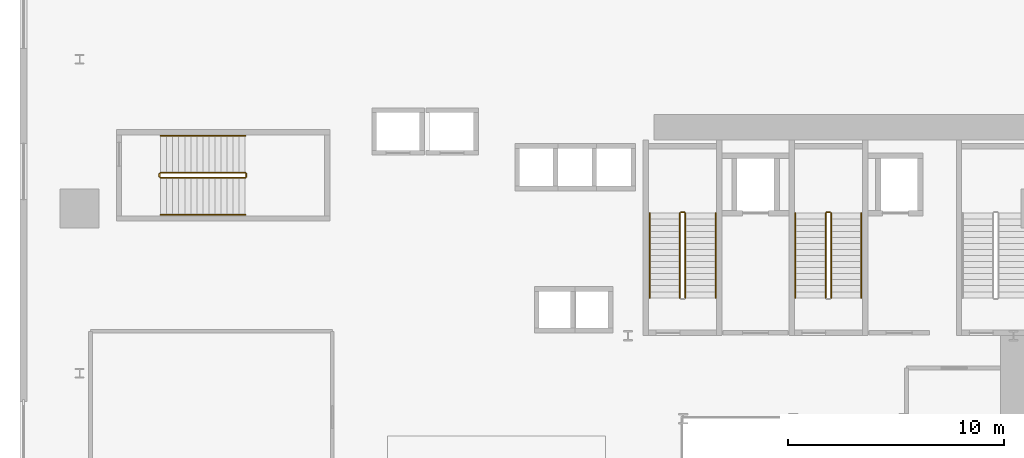
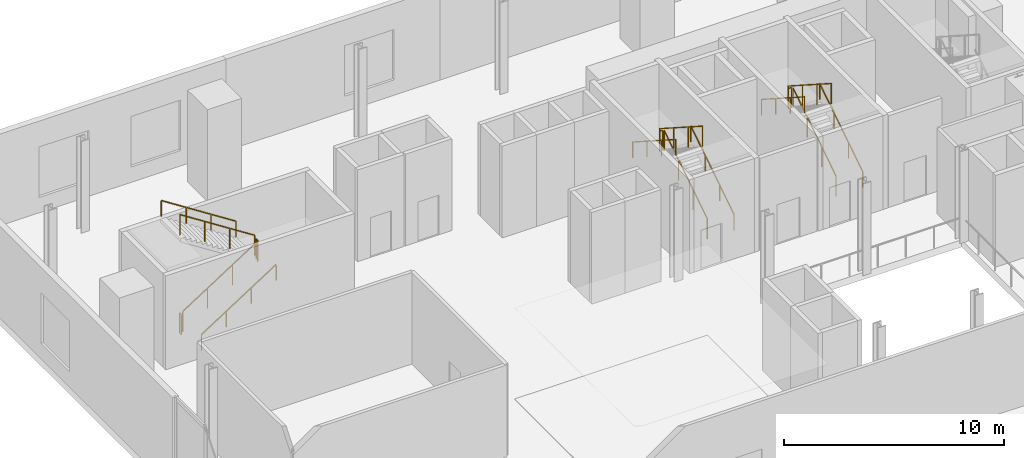
# One storey, part 11 of 12: 16 railings.
"""IFC4 building model written with IfcOpenShell, lengths in metres."""

from ifc_helpers import new_model, si_unit, direction, frame, origin, origin_2d, place, context, subcontext, project, spatial, rectangle, extrude, source, transform, mapped, material, type_object, element, save


model = new_model("IFC4")

# Units and contexts
model_context = context("Model", 3, precision=1e-05, world=origin(), true_north=direction((0.0, 1.0)))
body_context = subcontext(model_context, "Body", "Model", "MODEL_VIEW")
ifc_project = project(units=[si_unit("LENGTHUNIT", "METRE"), si_unit("AREAUNIT", "SQUARE_METRE"), si_unit("VOLUMEUNIT", "CUBIC_METRE"), si_unit("PLANEANGLEUNIT", "RADIAN"), si_unit("MASSUNIT", "GRAM", prefix="KILO")], contexts=[model_context])

# Site, building, storey
site_placement = place(None, origin())
site = spatial("IfcSite", under=ifc_project, at=site_placement, CompositionType="ELEMENT")
building_placement = place(site_placement, origin())
building = spatial("IfcBuilding", under=site, at=building_placement, Name="Vardaveli Station Tower", CompositionType="ELEMENT")
storey_placement = place(building_placement, frame((0.0, 0.0, 17.0)))
storey = spatial("IfcBuildingStorey", under=building, at=storey_placement, Name="L04", CompositionType="ELEMENT", Elevation=17.0)

# Railings
ifc_material = material(Name="Brushed AISI 316 stainless steel", Category="steel")
railing_type_1 = type_object("IfcRailingType", Name="RL-GUARD-1150", PredefinedType="GUARDRAIL", material=ifc_material)
shared_shape_1 = source(origin(), body_context, "Body", "SweptSolid", [
    extrude(rectangle(XDim=0.048095703125, YDim=0.048095703125, at=origin_2d()), frame((0.0, 0.0, 1.1259765625), z_axis=(0.0, 0.841186985886, 0.540744352514), x_axis=(-1.0, 0.0, 0.0)), (0.0, 0.0, 1.0), 4.660400390625),
    extrude(rectangle(XDim=0.0419921875, YDim=0.0419921875, at=origin_2d()), origin(), (0.0, 0.0, 1.0), 1.101806640625),
    extrude(rectangle(XDim=0.0419921875, YDim=0.0419921875, at=origin_2d()), frame((0.0, 1.306640625, 0.840087890625)), (0.0, 0.0, 1.0), 1.101806640625),
    extrude(rectangle(XDim=0.0419921875, YDim=0.0419921875, at=origin_2d()), frame((0.0, 2.613525390625, 1.679931640625)), (0.0, 0.0, 1.0), 1.101806640625),
    extrude(rectangle(XDim=0.0419921875, YDim=0.0419921875, at=origin_2d()), frame((0.0, 3.920166015625, 2.52001953125)), (0.0, 0.0, 1.0), 1.101806640625),
])
for number, where, name in (
    (1, (31.300048828125, 32.39990234375, 0.179931640625), "L04 ST-1 stair guard 1"),
    (2, (38.050048828125, 32.39990234375, 0.179931640625), "L04 ST-2 stair guard 1"),
):
    element("IfcRailing", number, at=place(storey_placement, frame(where)), inside=storey, type_object=railing_type_1, Name=name, PredefinedType="GUARDRAIL", context=body_context, shape_type="MappedRepresentation", body=[
        mapped(shared_shape_1, transform((0.0, 0.0, 0.0), scale=1.0)),
    ])
shared_shape_2 = source(origin(), body_context, "Body", "SweptSolid", [
    extrude(rectangle(XDim=0.048095703125, YDim=0.048095703125, at=origin_2d()), frame((0.0, 0.0, 1.1259765625), z_axis=(-1.0, 0.0, 0.0), x_axis=(0.0, -1.0, 0.0)), (0.0, 0.0, 1.0), 0.14990234375),
    extrude(rectangle(XDim=0.0419921875, YDim=0.0419921875, at=origin_2d()), origin(), (0.0, 0.0, 1.0), 1.101806640625),
    extrude(rectangle(XDim=0.0419921875, YDim=0.0419921875, at=origin_2d()), frame((-0.14990234375, 0.0, 0.0)), (0.0, 0.0, 1.0), 1.101806640625),
])
for number, where, name in (
    (3, (31.25, 36.3701171875, 2.699951171875), "L04 ST-1 stair guard 2"),
    (4, (38.0, 36.3701171875, 2.699951171875), "L04 ST-2 stair guard 2"),
):
    element("IfcRailing", number, at=place(storey_placement, frame(where)), inside=storey, type_object=railing_type_1, Name=name, PredefinedType="GUARDRAIL", context=body_context, shape_type="MappedRepresentation", body=[
        mapped(shared_shape_2, transform((0.0, 0.0, 0.0), scale=1.0)),
    ])
shared_shape_3 = source(origin(), body_context, "Body", "SweptSolid", [
    extrude(rectangle(XDim=0.048095703125, YDim=0.048095703125, at=origin_2d()), frame((0.0, 0.0, 1.1259765625), z_axis=(0.0, -0.841186985886, 0.540744352514), x_axis=(1.0, 0.0, 0.0)), (0.0, 0.0, 1.0), 4.660400390625),
    extrude(rectangle(XDim=0.0419921875, YDim=0.0419921875, at=origin_2d()), origin(), (0.0, 0.0, 1.0), 1.101806640625),
    extrude(rectangle(XDim=0.0419921875, YDim=0.0419921875, at=origin_2d()), frame((0.0, -1.306640625, 0.840087890625)), (0.0, 0.0, 1.0), 1.101806640625),
    extrude(rectangle(XDim=0.0419921875, YDim=0.0419921875, at=origin_2d()), frame((0.0, -2.613525390625, 1.679931640625)), (0.0, 0.0, 1.0), 1.101806640625),
    extrude(rectangle(XDim=0.0419921875, YDim=0.0419921875, at=origin_2d()), frame((0.0, -3.920166015625, 2.52001953125)), (0.0, 0.0, 1.0), 1.101806640625),
])
for number, where, name in (
    (5, (31.050048828125, 36.320068359375, 2.8798828125), "L04 ST-1 stair guard 3"),
    (6, (37.800048828125, 36.320068359375, 2.8798828125), "L04 ST-2 stair guard 3"),
):
    element("IfcRailing", number, at=place(storey_placement, frame(where)), inside=storey, type_object=railing_type_1, Name=name, PredefinedType="GUARDRAIL", context=body_context, shape_type="MappedRepresentation", body=[
        mapped(shared_shape_3, transform((0.0, 0.0, 0.0), scale=1.0)),
    ])
railing_type_2 = type_object("IfcRailingType", Name="RL-HAND-900", PredefinedType="HANDRAIL", material=ifc_material)
shared_shape_4 = source(origin(), body_context, "Body", "SweptSolid", [
    extrude(rectangle(XDim=0.048095703125, YDim=0.048095703125, at=origin_2d()), frame((0.0, 0.0, 0.8759765625), z_axis=(0.0, 0.841186985886, 0.540744352514), x_axis=(-1.0, 0.0, 0.0)), (0.0, 0.0, 1.0), 4.660400390625),
    extrude(rectangle(XDim=0.0419921875, YDim=0.0419921875, at=origin_2d()), origin(), (0.0, 0.0, 1.0), 0.851806640625),
    extrude(rectangle(XDim=0.0419921875, YDim=0.0419921875, at=origin_2d()), frame((0.0, 1.306640625, 0.840087890625)), (0.0, 0.0, 1.0), 0.851806640625),
    extrude(rectangle(XDim=0.0419921875, YDim=0.0419921875, at=origin_2d()), frame((0.0, 2.613525390625, 1.679931640625)), (0.0, 0.0, 1.0), 0.851806640625),
    extrude(rectangle(XDim=0.0419921875, YDim=0.0419921875, at=origin_2d()), frame((0.0, 3.920166015625, 2.52001953125)), (0.0, 0.0, 1.0), 0.851806640625),
])
for number, where, name in (
    (7, (32.699951171875, 32.39990234375, 0.179931640625), "L04 ST-1 stair handrail 1"),
    (8, (39.449951171875, 32.39990234375, 0.179931640625), "L04 ST-2 stair handrail 1"),
):
    element("IfcRailing", number, at=place(storey_placement, frame(where)), inside=storey, type_object=railing_type_2, Name=name, PredefinedType="HANDRAIL", context=body_context, shape_type="MappedRepresentation", body=[
        mapped(shared_shape_4, transform((0.0, 0.0, 0.0), scale=1.0)),
    ])
shared_shape_5 = source(origin(), body_context, "Body", "SweptSolid", [
    extrude(rectangle(XDim=0.048095703125, YDim=0.048095703125, at=origin_2d()), frame((0.0, 0.0, 0.8759765625), z_axis=(0.0, -0.841186985886, 0.540744352514), x_axis=(1.0, 0.0, 0.0)), (0.0, 0.0, 1.0), 4.660400390625),
    extrude(rectangle(XDim=0.0419921875, YDim=0.0419921875, at=origin_2d()), origin(), (0.0, 0.0, 1.0), 0.851806640625),
    extrude(rectangle(XDim=0.0419921875, YDim=0.0419921875, at=origin_2d()), frame((0.0, -1.306640625, 0.840087890625)), (0.0, 0.0, 1.0), 0.851806640625),
    extrude(rectangle(XDim=0.0419921875, YDim=0.0419921875, at=origin_2d()), frame((0.0, -2.613525390625, 1.679931640625)), (0.0, 0.0, 1.0), 0.851806640625),
    extrude(rectangle(XDim=0.0419921875, YDim=0.0419921875, at=origin_2d()), frame((0.0, -3.920166015625, 2.52001953125)), (0.0, 0.0, 1.0), 0.851806640625),
])
for number, where, name in (
    (9, (29.64990234375, 36.320068359375, 2.8798828125), "L04 ST-1 stair handrail 2"),
    (10, (36.39990234375, 36.320068359375, 2.8798828125), "L04 ST-2 stair handrail 2"),
):
    element("IfcRailing", number, at=place(storey_placement, frame(where)), inside=storey, type_object=railing_type_2, Name=name, PredefinedType="HANDRAIL", context=body_context, shape_type="MappedRepresentation", body=[
        mapped(shared_shape_5, transform((0.0, 0.0, 0.0), scale=1.0)),
    ])
shared_shape_6 = source(origin(), body_context, "Body", "SweptSolid", [
    extrude(rectangle(XDim=0.048095703125, YDim=0.048095703125, at=origin_2d()), frame((0.0, 0.0, 1.1259765625), z_axis=(0.841171666519, 0.0, 0.540768182723), x_axis=(0.0, 1.0, 0.0)), (0.0, 0.0, 1.0), 4.66015625),
    extrude(rectangle(XDim=0.0419921875, YDim=0.0419921875, at=origin_2d()), origin(), (0.0, 0.0, 1.0), 1.101806640625),
    extrude(rectangle(XDim=0.0419921875, YDim=0.0419921875, at=origin_2d()), frame((1.306640625, 0.0, 0.840087890625)), (0.0, 0.0, 1.0), 1.101806640625),
    extrude(rectangle(XDim=0.0419921875, YDim=0.0419921875, at=origin_2d()), frame((2.61328125, 0.0, 1.679931640625)), (0.0, 0.0, 1.0), 1.101806640625),
    extrude(rectangle(XDim=0.0419921875, YDim=0.0419921875, at=origin_2d()), frame((3.919921875, 0.0, 2.52001953125)), (0.0, 0.0, 1.0), 1.101806640625),
])
railing_1_placement = place(storey_placement, frame((7.0, 37.949951171875, 0.179931640625)))
element("IfcRailing", 11, at=railing_1_placement, inside=storey, type_object=railing_type_1, Name="L04 ST-P1 stair guard 1", PredefinedType="GUARDRAIL", context=body_context, shape_type="MappedRepresentation", body=[
    mapped(shared_shape_6, transform((0.0, 0.0, 0.0), scale=1.0)),
])
shared_shape_7 = source(origin(), body_context, "Body", "SweptSolid", [
    extrude(rectangle(XDim=0.048095703125, YDim=0.048095703125, at=origin_2d()), frame((0.0, 0.0, 1.1259765625), z_axis=(0.0, 1.0, 0.0), x_axis=(-1.0, 0.0, 0.0)), (0.0, 0.0, 1.0), 0.14990234375),
    extrude(rectangle(XDim=0.0419921875, YDim=0.0419921875, at=origin_2d()), origin(), (0.0, 0.0, 1.0), 1.101806640625),
    extrude(rectangle(XDim=0.0419921875, YDim=0.0419921875, at=origin_2d()), frame((0.0, 0.14990234375, 0.0)), (0.0, 0.0, 1.0), 1.101806640625),
])
for number, where, name in (
    (12, (10.969970703125, 38.0, 2.699951171875), "L04 ST-P1 stair guard 2"),
    (13, (6.949951171875, 38.0, 0.0), "L04 ST-P1 stair guard 4"),
):
    element("IfcRailing", number, at=place(storey_placement, frame(where)), inside=storey, type_object=railing_type_1, Name=name, PredefinedType="GUARDRAIL", context=body_context, shape_type="MappedRepresentation", body=[
        mapped(shared_shape_7, transform((0.0, 0.0, 0.0), scale=1.0)),
    ])
shared_shape_8 = source(origin(), body_context, "Body", "SweptSolid", [
    extrude(rectangle(XDim=0.048095703125, YDim=0.048095703125, at=origin_2d()), frame((0.0, 0.0, 1.1259765625), z_axis=(-0.841171666519, 0.0, 0.540768182723), x_axis=(0.0, -1.0, 0.0)), (0.0, 0.0, 1.0), 4.66015625),
    extrude(rectangle(XDim=0.0419921875, YDim=0.0419921875, at=origin_2d()), origin(), (0.0, 0.0, 1.0), 1.101806640625),
    extrude(rectangle(XDim=0.0419921875, YDim=0.0419921875, at=origin_2d()), frame((-1.306640625, 0.0, 0.840087890625)), (0.0, 0.0, 1.0), 1.101806640625),
    extrude(rectangle(XDim=0.0419921875, YDim=0.0419921875, at=origin_2d()), frame((-2.61328125, 0.0, 1.679931640625)), (0.0, 0.0, 1.0), 1.101806640625),
    extrude(rectangle(XDim=0.0419921875, YDim=0.0419921875, at=origin_2d()), frame((-3.919921875, 0.0, 2.52001953125)), (0.0, 0.0, 1.0), 1.101806640625),
])
railing_2_placement = place(storey_placement, frame((10.919921875, 38.199951171875, 2.8798828125)))
element("IfcRailing", 14, at=railing_2_placement, inside=storey, type_object=railing_type_1, Name="L04 ST-P1 stair guard 3", PredefinedType="GUARDRAIL", context=body_context, shape_type="MappedRepresentation", body=[
    mapped(shared_shape_8, transform((0.0, 0.0, 0.0), scale=1.0)),
])
shared_shape_9 = source(origin(), body_context, "Body", "SweptSolid", [
    extrude(rectangle(XDim=0.048095703125, YDim=0.048095703125, at=origin_2d()), frame((0.0, 0.0, 0.8759765625), z_axis=(0.841171666519, 0.0, 0.540768182723), x_axis=(0.0, 1.0, 0.0)), (0.0, 0.0, 1.0), 4.66015625),
    extrude(rectangle(XDim=0.0419921875, YDim=0.0419921875, at=origin_2d()), origin(), (0.0, 0.0, 1.0), 0.851806640625),
    extrude(rectangle(XDim=0.0419921875, YDim=0.0419921875, at=origin_2d()), frame((1.306640625, 0.0, 0.840087890625)), (0.0, 0.0, 1.0), 0.851806640625),
    extrude(rectangle(XDim=0.0419921875, YDim=0.0419921875, at=origin_2d()), frame((2.61328125, 0.0, 1.679931640625)), (0.0, 0.0, 1.0), 0.851806640625),
    extrude(rectangle(XDim=0.0419921875, YDim=0.0419921875, at=origin_2d()), frame((3.919921875, 0.0, 2.52001953125)), (0.0, 0.0, 1.0), 0.851806640625),
])
railing_3_placement = place(storey_placement, frame((7.0, 36.25, 0.179931640625)))
element("IfcRailing", 15, at=railing_3_placement, inside=storey, type_object=railing_type_2, Name="L04 ST-P1 stair handrail 1", PredefinedType="HANDRAIL", context=body_context, shape_type="MappedRepresentation", body=[
    mapped(shared_shape_9, transform((0.0, 0.0, 0.0), scale=1.0)),
])
shared_shape_10 = source(origin(), body_context, "Body", "SweptSolid", [
    extrude(rectangle(XDim=0.048095703125, YDim=0.048095703125, at=origin_2d()), frame((0.0, 0.0, 0.8759765625), z_axis=(-0.841171666519, 0.0, 0.540768182723), x_axis=(0.0, -1.0, 0.0)), (0.0, 0.0, 1.0), 4.66015625),
    extrude(rectangle(XDim=0.0419921875, YDim=0.0419921875, at=origin_2d()), origin(), (0.0, 0.0, 1.0), 0.851806640625),
    extrude(rectangle(XDim=0.0419921875, YDim=0.0419921875, at=origin_2d()), frame((-1.306640625, 0.0, 0.840087890625)), (0.0, 0.0, 1.0), 0.851806640625),
    extrude(rectangle(XDim=0.0419921875, YDim=0.0419921875, at=origin_2d()), frame((-2.61328125, 0.0, 1.679931640625)), (0.0, 0.0, 1.0), 0.851806640625),
    extrude(rectangle(XDim=0.0419921875, YDim=0.0419921875, at=origin_2d()), frame((-3.919921875, 0.0, 2.52001953125)), (0.0, 0.0, 1.0), 0.851806640625),
])
railing_4_placement = place(storey_placement, frame((10.919921875, 39.89990234375, 2.8798828125)))
element("IfcRailing", 16, at=railing_4_placement, inside=storey, type_object=railing_type_2, Name="L04 ST-P1 stair handrail 2", PredefinedType="HANDRAIL", context=body_context, shape_type="MappedRepresentation", body=[
    mapped(shared_shape_10, transform((0.0, 0.0, 0.0), scale=1.0)),
])

save(model, "model.ifc")
